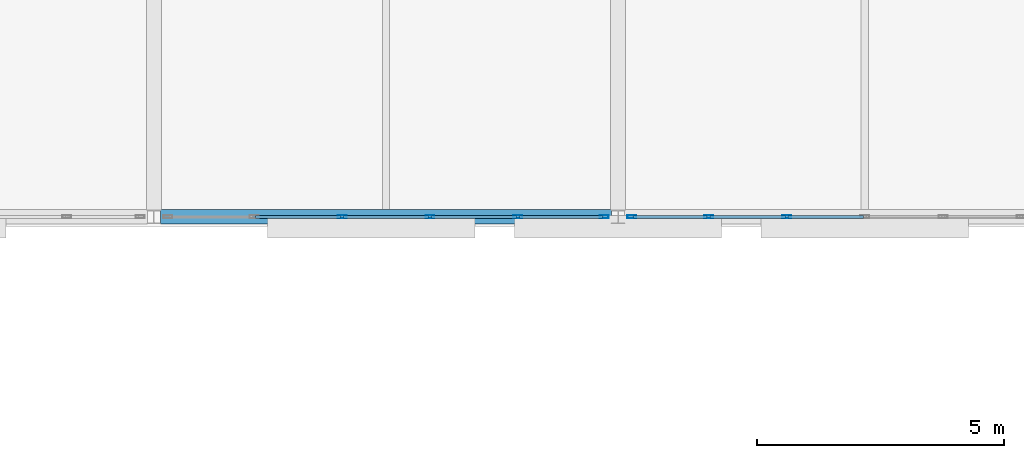
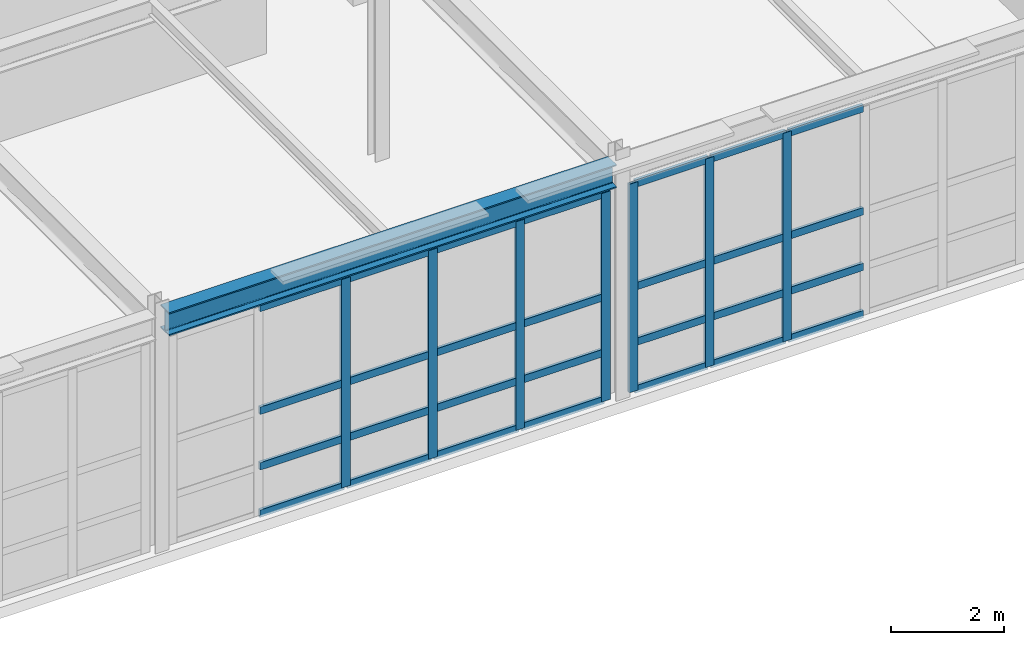
# One storey, part 140 of 239: 35 members, 1 beam, 2 elements without a shape of their own.
"""IFC4 building model written with IfcOpenShell, lengths in metres."""

import ifcopenshell
import ifcopenshell.guid

model = None  # the IFC model being written
_history = None  # IfcOwnerHistory: only IFC2X3 demands one
_inside = {}  # id of a spatial element -> (the spatial element, [elements in it])
_under = {}  # id of a project, library or spatial element -> (it, [spatial elements below it])
_declared = {}  # id of a project -> (the project, [libraries it declares])
_typed = {}  # id of a type object -> (the type object, [elements of that type])
_made_of = {}  # id of a material, layer set ... -> (it, [elements and type objects made of it])


def new_model(schema):
    """Start an empty IFC model of exactly this schema.

    Asked for "IFC4X3", IfcOpenShell would pick the latest addendum, in which some entities
    have other attributes; the version numbers below select the first issue.
    IFC2X3 requires an IfcOwnerHistory on every rooted entity: one is made here for all.
    """
    global model, _history
    if schema == "IFC4X3":
        model = ifcopenshell.file(schema_version=(4, 3, 0, 0))
    else:
        model = ifcopenshell.file(schema=schema)
    _inside.clear()
    _under.clear()
    _declared.clear()
    _typed.clear()
    _made_of.clear()
    _history = None
    if model.schema == "IFC2X3":
        org = make("IfcOrganization", Name="unknown")
        user = make(
            "IfcPersonAndOrganization",
            ThePerson=make("IfcPerson", FamilyName="unknown"),
            TheOrganization=org,
        )
        app = make(
            "IfcApplication",
            ApplicationDeveloper=org,
            Version="unknown",
            ApplicationFullName="unknown",
            ApplicationIdentifier="unknown",
        )
        _history = make(
            "IfcOwnerHistory",
            OwningUser=user,
            OwningApplication=app,
            ChangeAction="ADDED",
            CreationDate=0,
        )
    return model


def make(cls, **values):
    """One entity of the class cls with the attributes given. An attribute that is None is left unset."""
    return model.create_entity(
        cls, **{name: value for name, value in values.items() if value is not None}
    )


def rooted(cls, **values):
    """An entity with a GlobalId (a new one), such as an element, a storey or a relation."""
    return make(cls, GlobalId=ifcopenshell.guid.new(), OwnerHistory=_history, **values)


def si_unit(unit_type, name, prefix=None):
    """IfcSIUnit, for example si_unit("LENGTHUNIT", "METRE", prefix="MILLI")."""
    return make("IfcSIUnit", UnitType=unit_type, Prefix=prefix, Name=name)


def assignment(units):
    """IfcUnitAssignment: the units of a project."""
    return None if units is None else make("IfcUnitAssignment", Units=units)


def point(xyz):
    """IfcCartesianPoint."""
    return None if xyz is None else make("IfcCartesianPoint", Coordinates=xyz)


def direction(xyz):
    """IfcDirection."""
    return None if xyz is None else make("IfcDirection", DirectionRatios=xyz)


def frame(location, z_axis=None, x_axis=None):
    """IfcAxis2Placement3D, a coordinate frame: its origin and axes. An axis left out is left unset."""
    return make(
        "IfcAxis2Placement3D",
        Location=point(location),
        Axis=direction(z_axis),
        RefDirection=direction(x_axis),
    )


def frame_2d(location, x_axis=None):
    """IfcAxis2Placement2D, a coordinate frame in the plane: its origin and x axis."""
    return make(
        "IfcAxis2Placement2D", Location=point(location), RefDirection=direction(x_axis)
    )


def origin():
    """The frame at (0, 0, 0) with its axes left unset."""
    return frame((0.0, 0.0, 0.0))


def origin_2d():
    """The frame at (0, 0) in the plane with its x axis left unset."""
    return frame_2d((0.0, 0.0))


def place(relative_to, where):
    """IfcLocalPlacement: puts the frame where relative to a parent placement (None: the world)."""
    return make(
        "IfcLocalPlacement", PlacementRelTo=relative_to, RelativePlacement=where
    )


def context(
    kind, dimensions, precision=None, world=None, true_north=None, identifier=None
):
    """IfcGeometricRepresentationContext, for example the 3D "Model" context."""
    return make(
        "IfcGeometricRepresentationContext",
        ContextIdentifier=identifier,
        ContextType=kind,
        CoordinateSpaceDimension=dimensions,
        Precision=precision,
        WorldCoordinateSystem=world,
        TrueNorth=true_north,
    )


def subcontext(parent, identifier, kind, view, scale=None):
    """IfcGeometricRepresentationSubContext, for example "Body" below "Model"."""
    return make(
        "IfcGeometricRepresentationSubContext",
        ContextIdentifier=identifier,
        ContextType=kind,
        ParentContext=parent,
        TargetScale=scale,
        TargetView=view,
    )


def project(units=None, contexts=None):
    """IfcProject with its units and contexts."""
    return rooted(
        "IfcProject",
        Name="project",
        RepresentationContexts=contexts,
        UnitsInContext=assignment(units),
    )


def spatial(cls, under=None, at=None, **own):
    """A site, building, storey or space (cls), placed at a placement, below another one or the project."""
    s = rooted(cls, ObjectPlacement=at, **own)
    if under is not None:
        _under.setdefault(under.id(), (under, []))[1].append(s)
    return s


def profile(cls, at=None, kind="AREA", **sizes):
    """A parametric profile (cls). Its sizes go by their IFC names, for example OverallWidth=200.0."""
    return make(cls, ProfileType=kind, Position=at, **sizes)


def hollow_rectangle(**sizes):
    """IfcRectangleHollowProfileDef."""
    return profile("IfcRectangleHollowProfileDef", **sizes)


def i_section(**sizes):
    """IfcIShapeProfileDef."""
    return profile("IfcIShapeProfileDef", **sizes)


def extrude(swept, where, along, depth):
    """IfcExtrudedAreaSolid: the profile swept, set in the frame where, extruded along a direction by depth."""
    return make(
        "IfcExtrudedAreaSolid",
        SweptArea=swept,
        Position=where,
        ExtrudedDirection=direction(along),
        Depth=depth,
    )


def shape(context_of_items, identifier, shape_type, items):
    """IfcShapeRepresentation: the items that make up one representation, for example the "Body"."""
    return make(
        "IfcShapeRepresentation",
        ContextOfItems=context_of_items,
        RepresentationIdentifier=identifier,
        RepresentationType=shape_type,
        Items=items,
    )


def material(Name=None, Category=None):
    """IfcMaterial."""
    return make("IfcMaterial", Name=Name, Category=Category)


def material_profile(
    of_material, cross_section, Name=None, Category=None, Priority=None
):
    """IfcMaterialProfile: a cross section and its material."""
    return make(
        "IfcMaterialProfile",
        Name=Name,
        Material=of_material,
        Profile=cross_section,
        Priority=Priority,
        Category=Category,
    )


def profile_set(profiles, Name=None, composite=None):
    """IfcMaterialProfileSet."""
    return make(
        "IfcMaterialProfileSet",
        Name=Name,
        MaterialProfiles=profiles,
        CompositeProfile=composite,
    )


def made_of(thing, what):
    """Note that an element or type object is made of a material, layer set ...; save() writes the relation."""
    if what is not None:
        _made_of.setdefault(what.id(), (what, []))[1].append(thing)
    return thing


def type_object(cls, material=None, **own):
    """A type object (cls), such as IfcWallType, which elements share."""
    return made_of(rooted(cls, **own), material)


def element(
    cls,
    number,
    at=None,
    inside=None,
    cuts=None,
    type_object=None,
    material=None,
    context=None,
    identifier="Body",
    shape_type=None,
    held_by="IfcProductDefinitionShape",
    body=None,
    shapes=None,
    **own,
):
    """One element of the class cls, such as IfcWall. Its Tag is "e" and its number.

    at: its placement. inside: the storey or other place that contains it. cuts: it is an
    opening in that element (IfcRelVoidsElement). A single representation is given by context,
    identifier, shape_type and body (its items); several are given by shapes. held_by: the class
    of the entity that holds the representations. save() writes the other relations.
    """
    e = rooted(cls, Tag="e%d" % number, ObjectPlacement=at, **own)
    if body is not None:
        shapes = [shape(context, identifier, shape_type, body)]
    if shapes is not None:
        e.Representation = make(held_by, Representations=shapes)
    if inside is not None:
        _inside.setdefault(inside.id(), (inside, []))[1].append(e)
    if cuts is not None:
        rooted(
            "IfcRelVoidsElement", RelatingBuildingElement=cuts, RelatedOpeningElement=e
        )
    if type_object is not None:
        _typed.setdefault(type_object.id(), (type_object, []))[1].append(e)
    return made_of(e, material)


def aggregate(whole, parts):
    """IfcRelAggregates: a whole, such as a stair, and the parts it consists of."""
    return rooted("IfcRelAggregates", RelatingObject=whole, RelatedObjects=parts)


def save(model, path):
    """Write the relations noted so far, then the file.

    IfcRelAggregates (storeys below a building ...), IfcRelContainedInSpatialStructure (elements
    in a storey), IfcRelDefinesByType, IfcRelAssociatesMaterial and IfcRelDeclares: one each for
    every whole, place, type object, material and project.
    """
    for whole, parts in _under.values():
        aggregate(whole, parts)
    for where, things in _inside.values():
        rooted(
            "IfcRelContainedInSpatialStructure",
            RelatedElements=things,
            RelatingStructure=where,
        )
    for kind, things in _typed.values():
        rooted("IfcRelDefinesByType", RelatedObjects=things, RelatingType=kind)
    for what, things in _made_of.values():
        rooted("IfcRelAssociatesMaterial", RelatedObjects=things, RelatingMaterial=what)
    for by, libraries in _declared.values():
        rooted("IfcRelDeclares", RelatingContext=by, RelatedDefinitions=libraries)
    model.write(path)


model = new_model("IFC4")

# Units and contexts
model_context = context("Model", 3, precision=1e-05, world=origin(), true_north=direction((0.0, 1.0)))
body_context = subcontext(model_context, "Body", "Model", "MODEL_VIEW")
ifc_project = project(units=[si_unit("LENGTHUNIT", "METRE"), si_unit("AREAUNIT", "SQUARE_METRE"), si_unit("VOLUMEUNIT", "CUBIC_METRE"), si_unit("PLANEANGLEUNIT", "RADIAN"), si_unit("MASSUNIT", "GRAM", prefix="KILO")], contexts=[model_context])

# Site, building, storey
site_placement = place(None, origin())
site = spatial("IfcSite", under=ifc_project, at=site_placement, CompositionType="ELEMENT")
building_placement = place(site_placement, origin())
building = spatial("IfcBuilding", under=site, at=building_placement, Name="Kaldris Quays Convention Centre", CompositionType="ELEMENT")
storey_placement = place(building_placement, frame((0.0, 0.0, 11.39990234375)))
storey = spatial("IfcBuildingStorey", under=building, at=storey_placement, Name="L02", CompositionType="ELEMENT", Elevation=11.39990234375)

# Curtain wall, members
ifc_material_1 = material(Name="Anodized aluminium AW-6060 and triple glazing", Category="aluminium")
curtain_wall_type = type_object("IfcCurtainWallType", Name="UNITISED CURTAIN WALL CW02", PredefinedType="NOTDEFINED", material=ifc_material_1)
curtain_wall_1_placement = place(storey_placement, origin())
curtain_wall_1 = element("IfcCurtainWall", 1, at=curtain_wall_1_placement, inside=storey, type_object=curtain_wall_type, Name="L02 Unitised Curtain Wall CW02 201", PredefinedType="NOTDEFINED")
ifc_material_2 = material(Name="Anodized aluminium AW-6060", Category="aluminium")
ifc_material_profile_1 = material_profile(ifc_material_2, hollow_rectangle(XDim=0.06005859375, YDim=0.179931640625, WallThickness=0.0048828125, at=origin_2d()), Name="RHS 180x60x5")
ifc_profile_set_1 = profile_set([ifc_material_profile_1], Name="Anodized aluminium AW-6060")
member_type_1 = type_object("IfcMemberType", Name="CURTAIN MULLION CWM2", PredefinedType="MULLION", material=ifc_profile_set_1)
member_1_placement = place(storey_placement, frame((168.409912109375, 20.0, 0.0), z_axis=(0.0, 0.0, 1.0), x_axis=(0.0, 1.0, 0.0)))
member_1 = element("IfcMember", 2, at=member_1_placement, type_object=member_type_1, Name="CW02 mullion 3", PredefinedType="MULLION", context=body_context, shape_type="SweptSolid", body=[
    extrude(hollow_rectangle(XDim=0.06005859375, YDim=0.179931640625, WallThickness=0.0048828125, at=origin_2d()), origin(), (0.0, 0.0, 1.0), 4.498046875),
])
member_2_placement = place(storey_placement, frame((170.18994140625, 20.0, 0.0), z_axis=(0.0, 0.0, 1.0), x_axis=(0.0, 1.0, 0.0)))
member_2 = element("IfcMember", 3, at=member_2_placement, type_object=member_type_1, Name="CW02 mullion 4", PredefinedType="MULLION", context=body_context, shape_type="SweptSolid", body=[
    extrude(hollow_rectangle(XDim=0.06005859375, YDim=0.179931640625, WallThickness=0.0048828125, at=origin_2d()), origin(), (0.0, 0.0, 1.0), 4.498046875),
])
member_3_placement = place(storey_placement, frame((171.969970703125, 20.0, 0.0), z_axis=(0.0, 0.0, 1.0), x_axis=(0.0, 1.0, 0.0)))
member_3 = element("IfcMember", 4, at=member_3_placement, type_object=member_type_1, Name="CW02 mullion 5", PredefinedType="MULLION", context=body_context, shape_type="SweptSolid", body=[
    extrude(hollow_rectangle(XDim=0.06005859375, YDim=0.179931640625, WallThickness=0.0048828125, at=origin_2d()), origin(), (0.0, 0.0, 1.0), 4.498046875),
])
member_4_placement = place(storey_placement, frame((173.719970703125, 20.0, 0.0), z_axis=(0.0, 0.0, 1.0), x_axis=(0.0, 1.0, 0.0)))
member_4 = element("IfcMember", 5, at=member_4_placement, type_object=member_type_1, Name="CW02 mullion 6", PredefinedType="MULLION", context=body_context, shape_type="SweptSolid", body=[
    extrude(hollow_rectangle(XDim=0.06005859375, YDim=0.179931640625, WallThickness=0.0048828125, at=origin_2d()), origin(), (0.0, 0.0, 1.0), 4.498046875),
])

curtain_wall_2_placement = place(storey_placement, origin())
curtain_wall_2 = element("IfcCurtainWall", 6, at=curtain_wall_2_placement, inside=storey, type_object=curtain_wall_type, Name="L02 Unitised Curtain Wall CW02 203", PredefinedType="NOTDEFINED")
member_5_placement = place(storey_placement, frame((174.280029296875, 20.0, 0.0), z_axis=(0.0, 0.0, 1.0), x_axis=(0.0, 1.0, 0.0)))
member_5 = element("IfcMember", 7, at=member_5_placement, type_object=member_type_1, Name="CW02 mullion 1", PredefinedType="MULLION", context=body_context, shape_type="SweptSolid", body=[
    extrude(hollow_rectangle(XDim=0.06005859375, YDim=0.179931640625, WallThickness=0.0048828125, at=origin_2d()), origin(), (0.0, 0.0, 1.0), 4.498046875),
])
member_6_placement = place(storey_placement, frame((175.833251953125, 20.0, 0.0), z_axis=(0.0, 0.0, 1.0), x_axis=(0.0, 1.0, 0.0)))
member_6 = element("IfcMember", 8, at=member_6_placement, type_object=member_type_1, Name="CW02 mullion 2", PredefinedType="MULLION", context=body_context, shape_type="SweptSolid", body=[
    extrude(hollow_rectangle(XDim=0.06005859375, YDim=0.179931640625, WallThickness=0.0048828125, at=origin_2d()), origin(), (0.0, 0.0, 1.0), 4.498046875),
])
member_7_placement = place(storey_placement, frame((177.416748046875, 20.0, 0.0), z_axis=(0.0, 0.0, 1.0), x_axis=(0.0, 1.0, 0.0)))
member_7 = element("IfcMember", 9, at=member_7_placement, type_object=member_type_1, Name="CW02 mullion 3", PredefinedType="MULLION", context=body_context, shape_type="SweptSolid", body=[
    extrude(hollow_rectangle(XDim=0.06005859375, YDim=0.179931640625, WallThickness=0.0048828125, at=origin_2d()), origin(), (0.0, 0.0, 1.0), 4.498046875),
])

# Member
ifc_material_profile_2 = material_profile(ifc_material_2, hollow_rectangle(XDim=0.06005859375, YDim=0.159912109375, WallThickness=0.00390625, at=origin_2d()), Name="RHS 160x60x4")
ifc_profile_set_2 = profile_set([ifc_material_profile_2], Name="Anodized aluminium AW-6060")
member_type_2 = type_object("IfcMemberType", Name="CURTAIN TRANSOM CWT2", PredefinedType="USERDEFINED", material=ifc_profile_set_2)
member_8_placement = place(storey_placement, frame((166.659912109375, 20.0, 0.030029296875), z_axis=(1.0, 0.0, 0.0), x_axis=(0.0, 1.0, 0.0)))
member_8 = element("IfcMember", 10, at=member_8_placement, type_object=member_type_2, Name="CW02 transom 2.1", ObjectType="TRANSOM", PredefinedType="USERDEFINED", context=body_context, shape_type="SweptSolid", body=[
    extrude(hollow_rectangle(XDim=0.06005859375, YDim=0.159912109375, WallThickness=0.00390625, at=origin_2d()), origin(), (0.0, 0.0, 1.0), 1.719970703125),
])

member_9_placement = place(storey_placement, frame((166.659912109375, 20.0, 1.050048828125), z_axis=(1.0, 0.0, 0.0), x_axis=(0.0, 1.0, 0.0)))
member_9 = element("IfcMember", 11, at=member_9_placement, type_object=member_type_2, Name="CW02 transom 2.2", ObjectType="TRANSOM", PredefinedType="USERDEFINED", context=body_context, shape_type="SweptSolid", body=[
    extrude(hollow_rectangle(XDim=0.06005859375, YDim=0.159912109375, WallThickness=0.00390625, at=origin_2d()), origin(), (0.0, 0.0, 1.0), 1.719970703125),
])

member_10_placement = place(storey_placement, frame((166.659912109375, 20.0, 2.2490234375), z_axis=(1.0, 0.0, 0.0), x_axis=(0.0, 1.0, 0.0)))
member_10 = element("IfcMember", 12, at=member_10_placement, type_object=member_type_2, Name="CW02 transom 2.3", ObjectType="TRANSOM", PredefinedType="USERDEFINED", context=body_context, shape_type="SweptSolid", body=[
    extrude(hollow_rectangle(XDim=0.06005859375, YDim=0.159912109375, WallThickness=0.00390625, at=origin_2d()), origin(), (0.0, 0.0, 1.0), 1.719970703125),
])

member_11_placement = place(storey_placement, frame((166.659912109375, 20.0, 4.468017578125), z_axis=(1.0, 0.0, 0.0), x_axis=(0.0, 1.0, 0.0)))
member_11 = element("IfcMember", 13, at=member_11_placement, type_object=member_type_2, Name="CW02 transom 2.4", ObjectType="TRANSOM", PredefinedType="USERDEFINED", context=body_context, shape_type="SweptSolid", body=[
    extrude(hollow_rectangle(XDim=0.06005859375, YDim=0.159912109375, WallThickness=0.00390625, at=origin_2d()), origin(), (0.0, 0.0, 1.0), 1.719970703125),
])

member_12_placement = place(storey_placement, frame((168.43994140625, 20.0, 0.030029296875), z_axis=(1.0, 0.0, 0.0), x_axis=(0.0, 1.0, 0.0)))
member_12 = element("IfcMember", 14, at=member_12_placement, type_object=member_type_2, Name="CW02 transom 3.1", ObjectType="TRANSOM", PredefinedType="USERDEFINED", context=body_context, shape_type="SweptSolid", body=[
    extrude(hollow_rectangle(XDim=0.06005859375, YDim=0.159912109375, WallThickness=0.00390625, at=origin_2d()), origin(), (0.0, 0.0, 1.0), 1.719970703125),
])

member_13_placement = place(storey_placement, frame((168.43994140625, 20.0, 1.050048828125), z_axis=(1.0, 0.0, 0.0), x_axis=(0.0, 1.0, 0.0)))
member_13 = element("IfcMember", 15, at=member_13_placement, type_object=member_type_2, Name="CW02 transom 3.2", ObjectType="TRANSOM", PredefinedType="USERDEFINED", context=body_context, shape_type="SweptSolid", body=[
    extrude(hollow_rectangle(XDim=0.06005859375, YDim=0.159912109375, WallThickness=0.00390625, at=origin_2d()), origin(), (0.0, 0.0, 1.0), 1.719970703125),
])

member_14_placement = place(storey_placement, frame((168.43994140625, 20.0, 2.2490234375), z_axis=(1.0, 0.0, 0.0), x_axis=(0.0, 1.0, 0.0)))
member_14 = element("IfcMember", 16, at=member_14_placement, type_object=member_type_2, Name="CW02 transom 3.3", ObjectType="TRANSOM", PredefinedType="USERDEFINED", context=body_context, shape_type="SweptSolid", body=[
    extrude(hollow_rectangle(XDim=0.06005859375, YDim=0.159912109375, WallThickness=0.00390625, at=origin_2d()), origin(), (0.0, 0.0, 1.0), 1.719970703125),
])

member_15_placement = place(storey_placement, frame((168.43994140625, 20.0, 4.468017578125), z_axis=(1.0, 0.0, 0.0), x_axis=(0.0, 1.0, 0.0)))
member_15 = element("IfcMember", 17, at=member_15_placement, type_object=member_type_2, Name="CW02 transom 3.4", ObjectType="TRANSOM", PredefinedType="USERDEFINED", context=body_context, shape_type="SweptSolid", body=[
    extrude(hollow_rectangle(XDim=0.06005859375, YDim=0.159912109375, WallThickness=0.00390625, at=origin_2d()), origin(), (0.0, 0.0, 1.0), 1.719970703125),
])

member_16_placement = place(storey_placement, frame((170.219970703125, 20.0, 0.030029296875), z_axis=(1.0, 0.0, 0.0), x_axis=(0.0, 1.0, 0.0)))
member_16 = element("IfcMember", 18, at=member_16_placement, type_object=member_type_2, Name="CW02 transom 4.1", ObjectType="TRANSOM", PredefinedType="USERDEFINED", context=body_context, shape_type="SweptSolid", body=[
    extrude(hollow_rectangle(XDim=0.06005859375, YDim=0.159912109375, WallThickness=0.00390625, at=origin_2d()), origin(), (0.0, 0.0, 1.0), 1.719970703125),
])

member_17_placement = place(storey_placement, frame((170.219970703125, 20.0, 1.050048828125), z_axis=(1.0, 0.0, 0.0), x_axis=(0.0, 1.0, 0.0)))
member_17 = element("IfcMember", 19, at=member_17_placement, type_object=member_type_2, Name="CW02 transom 4.2", ObjectType="TRANSOM", PredefinedType="USERDEFINED", context=body_context, shape_type="SweptSolid", body=[
    extrude(hollow_rectangle(XDim=0.06005859375, YDim=0.159912109375, WallThickness=0.00390625, at=origin_2d()), origin(), (0.0, 0.0, 1.0), 1.719970703125),
])

member_18_placement = place(storey_placement, frame((170.219970703125, 20.0, 2.2490234375), z_axis=(1.0, 0.0, 0.0), x_axis=(0.0, 1.0, 0.0)))
member_18 = element("IfcMember", 20, at=member_18_placement, type_object=member_type_2, Name="CW02 transom 4.3", ObjectType="TRANSOM", PredefinedType="USERDEFINED", context=body_context, shape_type="SweptSolid", body=[
    extrude(hollow_rectangle(XDim=0.06005859375, YDim=0.159912109375, WallThickness=0.00390625, at=origin_2d()), origin(), (0.0, 0.0, 1.0), 1.719970703125),
])

member_19_placement = place(storey_placement, frame((170.219970703125, 20.0, 4.468017578125), z_axis=(1.0, 0.0, 0.0), x_axis=(0.0, 1.0, 0.0)))
member_19 = element("IfcMember", 21, at=member_19_placement, type_object=member_type_2, Name="CW02 transom 4.4", ObjectType="TRANSOM", PredefinedType="USERDEFINED", context=body_context, shape_type="SweptSolid", body=[
    extrude(hollow_rectangle(XDim=0.06005859375, YDim=0.159912109375, WallThickness=0.00390625, at=origin_2d()), origin(), (0.0, 0.0, 1.0), 1.719970703125),
])

member_20_placement = place(storey_placement, frame((172.0, 20.0, 0.030029296875), z_axis=(1.0, 0.0, 0.0), x_axis=(0.0, 1.0, 0.0)))
member_20 = element("IfcMember", 22, at=member_20_placement, type_object=member_type_2, Name="CW02 transom 5.1", ObjectType="TRANSOM", PredefinedType="USERDEFINED", context=body_context, shape_type="SweptSolid", body=[
    extrude(hollow_rectangle(XDim=0.06005859375, YDim=0.159912109375, WallThickness=0.00390625, at=origin_2d()), origin(), (0.0, 0.0, 1.0), 1.68994140625),
])

member_21_placement = place(storey_placement, frame((172.0, 20.0, 1.050048828125), z_axis=(1.0, 0.0, 0.0), x_axis=(0.0, 1.0, 0.0)))
member_21 = element("IfcMember", 23, at=member_21_placement, type_object=member_type_2, Name="CW02 transom 5.2", ObjectType="TRANSOM", PredefinedType="USERDEFINED", context=body_context, shape_type="SweptSolid", body=[
    extrude(hollow_rectangle(XDim=0.06005859375, YDim=0.159912109375, WallThickness=0.00390625, at=origin_2d()), origin(), (0.0, 0.0, 1.0), 1.68994140625),
])

member_22_placement = place(storey_placement, frame((172.0, 20.0, 2.2490234375), z_axis=(1.0, 0.0, 0.0), x_axis=(0.0, 1.0, 0.0)))
member_22 = element("IfcMember", 24, at=member_22_placement, type_object=member_type_2, Name="CW02 transom 5.3", ObjectType="TRANSOM", PredefinedType="USERDEFINED", context=body_context, shape_type="SweptSolid", body=[
    extrude(hollow_rectangle(XDim=0.06005859375, YDim=0.159912109375, WallThickness=0.00390625, at=origin_2d()), origin(), (0.0, 0.0, 1.0), 1.68994140625),
])

member_23_placement = place(storey_placement, frame((172.0, 20.0, 4.468017578125), z_axis=(1.0, 0.0, 0.0), x_axis=(0.0, 1.0, 0.0)))
member_23 = element("IfcMember", 25, at=member_23_placement, type_object=member_type_2, Name="CW02 transom 5.4", ObjectType="TRANSOM", PredefinedType="USERDEFINED", context=body_context, shape_type="SweptSolid", body=[
    extrude(hollow_rectangle(XDim=0.06005859375, YDim=0.159912109375, WallThickness=0.00390625, at=origin_2d()), origin(), (0.0, 0.0, 1.0), 1.68994140625),
])

aggregate(curtain_wall_1, [member_1, member_2, member_3, member_4, member_8, member_9, member_10, member_11, member_12, member_13, member_14, member_15, member_16, member_17, member_18, member_19, member_20, member_21, member_22, member_23])

member_24_placement = place(storey_placement, frame((174.31005859375, 20.0, 0.030029296875), z_axis=(1.0, 0.0, 0.0), x_axis=(0.0, 1.0, 0.0)))
member_24 = element("IfcMember", 26, at=member_24_placement, type_object=member_type_2, Name="CW02 transom 1.1", ObjectType="TRANSOM", PredefinedType="USERDEFINED", context=body_context, shape_type="SweptSolid", body=[
    extrude(hollow_rectangle(XDim=0.06005859375, YDim=0.159912109375, WallThickness=0.00390625, at=origin_2d()), origin(), (0.0, 0.0, 1.0), 1.4931640625),
])

member_25_placement = place(storey_placement, frame((174.31005859375, 20.0, 1.050048828125), z_axis=(1.0, 0.0, 0.0), x_axis=(0.0, 1.0, 0.0)))
member_25 = element("IfcMember", 27, at=member_25_placement, type_object=member_type_2, Name="CW02 transom 1.2", ObjectType="TRANSOM", PredefinedType="USERDEFINED", context=body_context, shape_type="SweptSolid", body=[
    extrude(hollow_rectangle(XDim=0.06005859375, YDim=0.159912109375, WallThickness=0.00390625, at=origin_2d()), origin(), (0.0, 0.0, 1.0), 1.4931640625),
])

member_26_placement = place(storey_placement, frame((174.31005859375, 20.0, 2.2490234375), z_axis=(1.0, 0.0, 0.0), x_axis=(0.0, 1.0, 0.0)))
member_26 = element("IfcMember", 28, at=member_26_placement, type_object=member_type_2, Name="CW02 transom 1.3", ObjectType="TRANSOM", PredefinedType="USERDEFINED", context=body_context, shape_type="SweptSolid", body=[
    extrude(hollow_rectangle(XDim=0.06005859375, YDim=0.159912109375, WallThickness=0.00390625, at=origin_2d()), origin(), (0.0, 0.0, 1.0), 1.4931640625),
])

member_27_placement = place(storey_placement, frame((174.31005859375, 20.0, 4.468017578125), z_axis=(1.0, 0.0, 0.0), x_axis=(0.0, 1.0, 0.0)))
member_27 = element("IfcMember", 29, at=member_27_placement, type_object=member_type_2, Name="CW02 transom 1.4", ObjectType="TRANSOM", PredefinedType="USERDEFINED", context=body_context, shape_type="SweptSolid", body=[
    extrude(hollow_rectangle(XDim=0.06005859375, YDim=0.159912109375, WallThickness=0.00390625, at=origin_2d()), origin(), (0.0, 0.0, 1.0), 1.4931640625),
])

member_28_placement = place(storey_placement, frame((175.86328125, 20.0, 0.030029296875), z_axis=(1.0, 0.0, 0.0), x_axis=(0.0, 1.0, 0.0)))
member_28 = element("IfcMember", 30, at=member_28_placement, type_object=member_type_2, Name="CW02 transom 2.1", ObjectType="TRANSOM", PredefinedType="USERDEFINED", context=body_context, shape_type="SweptSolid", body=[
    extrude(hollow_rectangle(XDim=0.06005859375, YDim=0.159912109375, WallThickness=0.00390625, at=origin_2d()), origin(), (0.0, 0.0, 1.0), 1.5234375),
])

member_29_placement = place(storey_placement, frame((175.86328125, 20.0, 1.050048828125), z_axis=(1.0, 0.0, 0.0), x_axis=(0.0, 1.0, 0.0)))
member_29 = element("IfcMember", 31, at=member_29_placement, type_object=member_type_2, Name="CW02 transom 2.2", ObjectType="TRANSOM", PredefinedType="USERDEFINED", context=body_context, shape_type="SweptSolid", body=[
    extrude(hollow_rectangle(XDim=0.06005859375, YDim=0.159912109375, WallThickness=0.00390625, at=origin_2d()), origin(), (0.0, 0.0, 1.0), 1.5234375),
])

member_30_placement = place(storey_placement, frame((175.86328125, 20.0, 2.2490234375), z_axis=(1.0, 0.0, 0.0), x_axis=(0.0, 1.0, 0.0)))
member_30 = element("IfcMember", 32, at=member_30_placement, type_object=member_type_2, Name="CW02 transom 2.3", ObjectType="TRANSOM", PredefinedType="USERDEFINED", context=body_context, shape_type="SweptSolid", body=[
    extrude(hollow_rectangle(XDim=0.06005859375, YDim=0.159912109375, WallThickness=0.00390625, at=origin_2d()), origin(), (0.0, 0.0, 1.0), 1.5234375),
])

member_31_placement = place(storey_placement, frame((175.86328125, 20.0, 4.468017578125), z_axis=(1.0, 0.0, 0.0), x_axis=(0.0, 1.0, 0.0)))
member_31 = element("IfcMember", 33, at=member_31_placement, type_object=member_type_2, Name="CW02 transom 2.4", ObjectType="TRANSOM", PredefinedType="USERDEFINED", context=body_context, shape_type="SweptSolid", body=[
    extrude(hollow_rectangle(XDim=0.06005859375, YDim=0.159912109375, WallThickness=0.00390625, at=origin_2d()), origin(), (0.0, 0.0, 1.0), 1.5234375),
])

member_32_placement = place(storey_placement, frame((177.44677734375, 20.0, 0.030029296875), z_axis=(1.0, 0.0, 0.0), x_axis=(0.0, 1.0, 0.0)))
member_32 = element("IfcMember", 34, at=member_32_placement, type_object=member_type_2, Name="CW02 transom 3.1", ObjectType="TRANSOM", PredefinedType="USERDEFINED", context=body_context, shape_type="SweptSolid", body=[
    extrude(hollow_rectangle(XDim=0.06005859375, YDim=0.159912109375, WallThickness=0.00390625, at=origin_2d()), origin(), (0.0, 0.0, 1.0), 1.523193359375),
])

member_33_placement = place(storey_placement, frame((177.44677734375, 20.0, 1.050048828125), z_axis=(1.0, 0.0, 0.0), x_axis=(0.0, 1.0, 0.0)))
member_33 = element("IfcMember", 35, at=member_33_placement, type_object=member_type_2, Name="CW02 transom 3.2", ObjectType="TRANSOM", PredefinedType="USERDEFINED", context=body_context, shape_type="SweptSolid", body=[
    extrude(hollow_rectangle(XDim=0.06005859375, YDim=0.159912109375, WallThickness=0.00390625, at=origin_2d()), origin(), (0.0, 0.0, 1.0), 1.523193359375),
])

member_34_placement = place(storey_placement, frame((177.44677734375, 20.0, 2.2490234375), z_axis=(1.0, 0.0, 0.0), x_axis=(0.0, 1.0, 0.0)))
member_34 = element("IfcMember", 36, at=member_34_placement, type_object=member_type_2, Name="CW02 transom 3.3", ObjectType="TRANSOM", PredefinedType="USERDEFINED", context=body_context, shape_type="SweptSolid", body=[
    extrude(hollow_rectangle(XDim=0.06005859375, YDim=0.159912109375, WallThickness=0.00390625, at=origin_2d()), origin(), (0.0, 0.0, 1.0), 1.523193359375),
])

member_35_placement = place(storey_placement, frame((177.44677734375, 20.0, 4.468017578125), z_axis=(1.0, 0.0, 0.0), x_axis=(0.0, 1.0, 0.0)))
member_35 = element("IfcMember", 37, at=member_35_placement, type_object=member_type_2, Name="CW02 transom 3.4", ObjectType="TRANSOM", PredefinedType="USERDEFINED", context=body_context, shape_type="SweptSolid", body=[
    extrude(hollow_rectangle(XDim=0.06005859375, YDim=0.159912109375, WallThickness=0.00390625, at=origin_2d()), origin(), (0.0, 0.0, 1.0), 1.523193359375),
])

aggregate(curtain_wall_2, [member_5, member_6, member_7, member_24, member_25, member_26, member_27, member_28, member_29, member_30, member_31, member_32, member_33, member_34, member_35])

# Beam
ifc_material_3 = material(Name="Steel S355J2", Category="steel")
ifc_material_profile_3 = material_profile(ifc_material_3, i_section(OverallWidth=0.300048828125, OverallDepth=0.5, WebThickness=0.014404296875, FlangeThickness=0.028076171875, FilletRadius=0.027099609375, at=origin_2d()), Name="HEB 500")
ifc_profile_set_3 = profile_set([ifc_material_profile_3], Name="Steel S355J2")
beam_type = type_object("IfcBeamType", Name="STRUCTURAL BEAM BM06", PredefinedType="BEAM", material=ifc_profile_set_3)
beam_placement = place(storey_placement, frame((164.73388671875, 20.0, 4.863037109375), z_axis=(1.0, 0.0, 0.0), x_axis=(0.0, 1.0, 0.0)))
element("IfcBeam", 38, at=beam_placement, inside=storey, type_object=beam_type, Name="L02 Girder BM06 2", PredefinedType="BEAM", context=body_context, shape_type="SweptSolid", body=[
    extrude(i_section(OverallWidth=0.300048828125, OverallDepth=0.5, WebThickness=0.014404296875, FlangeThickness=0.028076171875, FilletRadius=0.027099609375, at=origin_2d()), origin(), (0.0, 0.0, 1.0), 9.132080078125),
])

save(model, "model.ifc")
